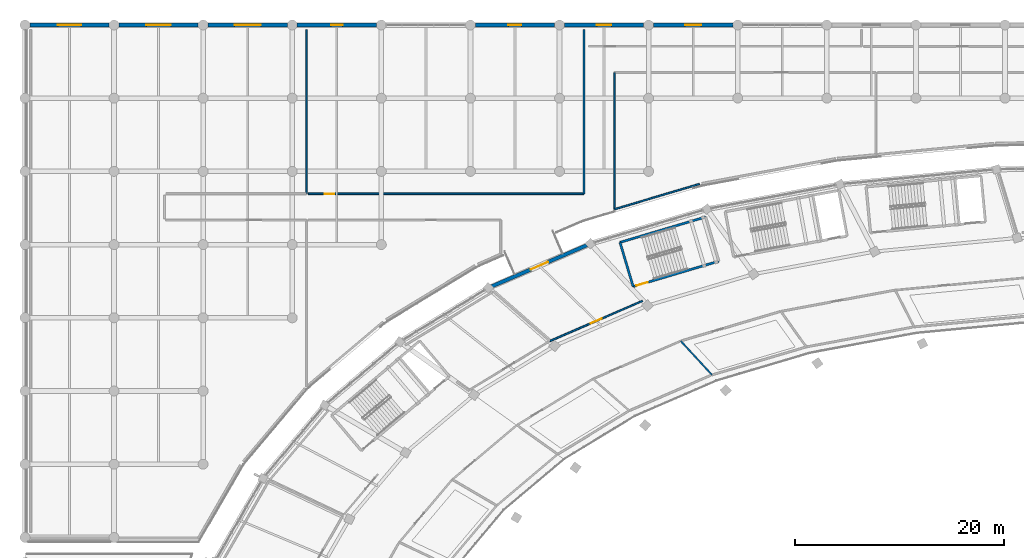
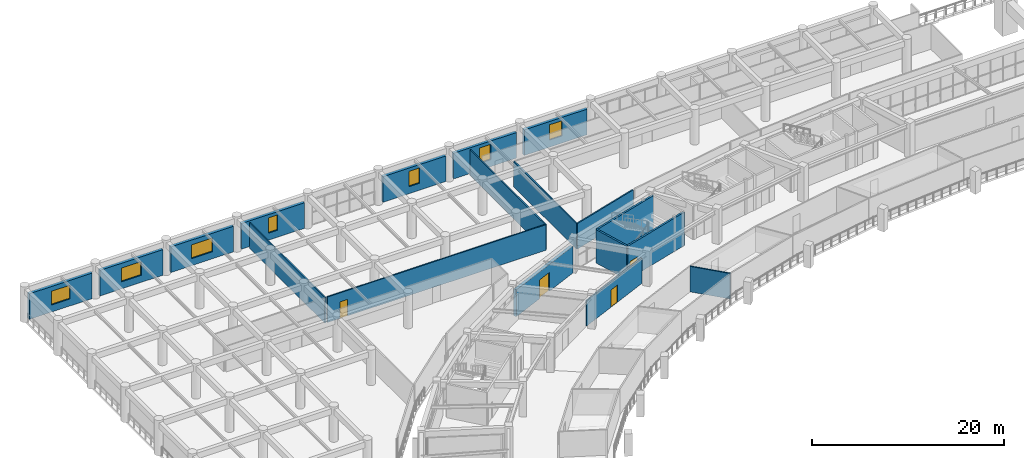
# One storey, part 104 of 141: 18 walls, 7 windows, 4 doors, 11 openings.
"""IFC4 building model written with IfcOpenShell, lengths in metres."""

from ifc_helpers import new_model, si_unit, direction, frame, frame_2d, origin, place, context, subcontext, project, spatial, rectangle, extrude, material, layer, layer_set, type_object, element, fill, save


model = new_model("IFC4")

# Units and contexts
model_context = context("Model", 3, precision=1e-05, world=origin(), true_north=direction((0.0, 1.0)))
body_context = subcontext(model_context, "Body", "Model", "MODEL_VIEW")
ifc_project = project(units=[si_unit("LENGTHUNIT", "METRE"), si_unit("AREAUNIT", "SQUARE_METRE"), si_unit("VOLUMEUNIT", "CUBIC_METRE"), si_unit("PLANEANGLEUNIT", "RADIAN"), si_unit("MASSUNIT", "GRAM", prefix="KILO")], contexts=[model_context])

# Site, building, storey
site_placement = place(None, origin())
site = spatial("IfcSite", under=ifc_project, at=site_placement, CompositionType="ELEMENT")
building_placement = place(site_placement, origin())
building = spatial("IfcBuilding", under=site, at=building_placement, Name="Mphavela Belvedere Stadium", CompositionType="ELEMENT")
storey_placement = place(building_placement, frame((0.0, 0.0, 14.699951171875)))
storey = spatial("IfcBuildingStorey", under=building, at=storey_placement, Name="L03", CompositionType="ELEMENT", Elevation=14.699951171875)

# Walls
ifc_material_1 = material(Name="Concrete C40/50", Category="concrete")
ifc_layer_1 = layer(ifc_material_1, 0.219970703125)
ifc_layer_set_1 = layer_set([ifc_layer_1], Name="Concrete C40/50")
wall_type_1 = type_object("IfcWallType", Name="WAL-CORE-SHEAR-220", PredefinedType="SHEAR", material=ifc_layer_set_1)
wall_1_placement = place(storey_placement, frame((56.89501953125, 153.214111328125, 0.0), z_axis=(0.0, 0.0, 1.0), x_axis=(0.958675743706, 0.284500998997, 0.0)))
element("IfcWall", 1, at=wall_1_placement, inside=storey, type_object=wall_type_1, Name="Core P03 shear wall L03 rear", PredefinedType="SHEAR", context=body_context, shape_type="SweptSolid", body=[
    extrude(rectangle(XDim=8.540283203125, YDim=0.219970703125, at=frame_2d((4.27001953125, 0.0))), origin(), (0.0, 0.0, 1.0), 4.25),
])
wall_2_placement = place(storey_placement, frame((58.14990234375, 148.986083984375, 0.0), z_axis=(0.0, 0.0, 1.0), x_axis=(-0.284533106789, 0.958666214665, 0.0)))
element("IfcWall", 2, at=wall_2_placement, inside=storey, type_object=wall_type_1, Name="Core P03 shear wall L03 left", PredefinedType="SHEAR", context=body_context, shape_type="SweptSolid", body=[
    extrude(rectangle(XDim=4.410400390625, YDim=0.219970703125, at=frame_2d((2.205078125, 0.0))), origin(), (0.0, 0.0, 1.0), 4.25),
])

# Wall, opening, door
wall_3_placement = place(storey_placement, frame((58.14990234375, 148.986083984375, 0.0), z_axis=(0.0, 0.0, 1.0), x_axis=(0.958665631999, 0.284535069937, 0.0)))
wall_3 = element("IfcWall", 3, at=wall_3_placement, inside=storey, type_object=wall_type_1, Name="Core P03 shear wall L03 front", PredefinedType="SHEAR", context=body_context, shape_type="SweptSolid", body=[
    extrude(rectangle(XDim=8.5400390625, YDim=0.219970703125, at=frame_2d((4.27001953125, 0.0))), origin(), (0.0, 0.0, 1.0), 4.25),
])
opening_1_placement = place(wall_3_placement, frame((0.300048828125, 0.0, 0.0)))
opening_1 = element("IfcOpeningElement", 4, at=opening_1_placement, cuts=wall_3, Name="Opening SD-080", PredefinedType="OPENING", context=body_context, shape_type="SweptSolid", body=[
    extrude(rectangle(XDim=1.14990234375, YDim=2.14990234375, at=frame_2d((0.574951171875, 1.074951171875))), frame((0.0, 0.1201171875, 0.0), z_axis=(0.0, -1.0, 0.0), x_axis=(1.0, 0.0, 0.0)), (0.0, 0.0, 1.0), 0.239990234375),
])
ifc_material_2 = material(Name="Steel acoustic fire-resisting stair doorset", Category="steel")
door_type_1 = type_object("IfcDoorType", Name="DR-STAIR-FIRE-1150", OperationType="NOTDEFINED", PredefinedType="DOOR", material=ifc_material_2)
door_1_placement = place(opening_1_placement, origin())
door_1 = element("IfcDoor", 5, at=door_1_placement, inside=storey, type_object=door_type_1, Name="Escape stair fire door P03 L03", OperationType="SINGLE_SWING_RIGHT", OverallHeight=2.14990234375, OverallWidth=1.14990234375, PredefinedType="DOOR", context=body_context, shape_type="SweptSolid", body=[
    extrude(rectangle(XDim=1.14990234375, YDim=2.14990234375, at=frame_2d((0.574951171875, 1.074951171875))), frame((0.0, 0.02490234375, 0.0), z_axis=(0.0, -1.0, 0.0), x_axis=(1.0, 0.0, 0.0)), (0.0, 0.0, 1.0), 0.050048828125),
])
fill(opening_1, door_1)

ifc_material_3 = material(Name="Honed ashlar limestone masonry", Category="masonry")
ifc_layer_2 = layer(ifc_material_3, 0.35009765625)
ifc_layer_set_2 = layer_set([ifc_layer_2], Name="Honed ashlar limestone masonry")
wall_type_2 = type_object("IfcWallType", Name="WAL-EXT-ASHLAR-350", PredefinedType="STANDARD", material=ifc_layer_set_2)
wall_4_placement = place(storey_placement, frame((44.64599609375, 149.00927734375, 0.0), z_axis=(0.0, 0.0, 1.0), x_axis=(0.917502782842, 0.397729359587, 0.0)))
wall_4 = element("IfcWall", 6, at=wall_4_placement, inside=storey, type_object=wall_type_2, Name="Classical link portal wall L03-17", PredefinedType="STANDARD", context=body_context, shape_type="SweptSolid", body=[
    extrude(rectangle(XDim=9.89013671875, YDim=0.35009765625, at=frame_2d((4.945068359375, 0.0))), origin(), (0.0, 0.0, 1.0), 3.420166015625),
])
opening_2_placement = place(wall_4_placement, frame((4.045166015625, 0.0, 0.0)))
opening_2 = element("IfcOpeningElement", 7, at=opening_2_placement, cuts=wall_4, Name="Opening ID-9316", PredefinedType="OPENING", context=body_context, shape_type="SweptSolid", body=[
    extrude(rectangle(XDim=1.800048828125, YDim=2.39990234375, at=frame_2d((0.89990234375, 1.199951171875))), frame((0.0, 0.18505859375, 0.0), z_axis=(0.0, -1.0, 0.0), x_axis=(1.0, 0.0, 0.0)), (0.0, 0.0, 1.0), 0.3701171875),
])
ifc_material_4 = material(Name="Glazed bronze-anodised steel exit doorset", Category="steel")
door_type_2 = type_object("IfcDoorType", Name="DR-EXT-01", OperationType="NOTDEFINED", PredefinedType="DOOR", material=ifc_material_4)
door_2_placement = place(opening_2_placement, origin())
door_2 = element("IfcDoor", 8, at=door_2_placement, inside=storey, type_object=door_type_2, Name="Wing promenade link doorset L03-17", OperationType="DOUBLE_DOOR_SINGLE_SWING", OverallHeight=2.39990234375, OverallWidth=1.800048828125, PredefinedType="DOOR", context=body_context, shape_type="SweptSolid", body=[
    extrude(rectangle(XDim=1.800048828125, YDim=2.39990234375, at=frame_2d((0.89990234375, 1.199951171875))), frame((0.0, 0.02490234375, 0.0), z_axis=(0.0, -1.0, 0.0), x_axis=(1.0, 0.0, 0.0)), (0.0, 0.0, 1.0), 0.050048828125),
])
fill(opening_2, door_2)

# Wall, opening, window
wall_5_placement = place(storey_placement, frame((0.472900390625, 174.0, 0.0), z_axis=(0.0, 0.0, 1.0), x_axis=(1.0, 0.0, 0.0)))
wall_5 = element("IfcWall", 9, at=wall_5_placement, inside=storey, type_object=wall_type_2, Name="North Mast and Ceremonial End Forecourt outer facade bay L03-01", PredefinedType="STANDARD", context=body_context, shape_type="SweptSolid", body=[
    extrude(rectangle(XDim=7.572998046875, YDim=0.35009765625, at=frame_2d((3.78662109375, 0.0))), origin(), (0.0, 0.0, 1.0), 3.260009765625),
])
opening_3_placement = place(wall_5_placement, frame((2.676513671875, 0.0, 0.89990234375)))
opening_3 = element("IfcOpeningElement", 10, at=opening_3_placement, cuts=wall_5, Name="Opening W-196", PredefinedType="OPENING", context=body_context, shape_type="SweptSolid", body=[
    extrude(rectangle(XDim=2.219970703125, YDim=1.75, at=frame_2d((1.10986328125, 0.875))), frame((0.0, 0.18505859375, 0.0), z_axis=(0.0, -1.0, 0.0), x_axis=(1.0, 0.0, 0.0)), (0.0, 0.0, 1.0), 0.3701171875),
])
ifc_material_5 = material(Name="Bronze-anodised thermally broken aluminium window", Category="aluminium")
window_type_1 = type_object("IfcWindowType", Name="WIN-EXT-20", PartitioningType="SINGLE_PANEL", PredefinedType="WINDOW", material=ifc_material_5)
window_1_placement = place(opening_3_placement, origin())
window_1 = element("IfcWindow", 11, at=window_1_placement, inside=storey, type_object=window_type_1, Name="North Mast and Ceremonial End Forecourt classical window W-196", OverallHeight=1.75, OverallWidth=2.219970703125, PartitioningType="SINGLE_PANEL", PredefinedType="WINDOW", context=body_context, shape_type="SweptSolid", body=[
    extrude(rectangle(XDim=2.219970703125, YDim=1.75, at=frame_2d((1.10986328125, 0.875))), frame((0.0, 0.030029296875, 0.0), z_axis=(0.0, -1.0, 0.0), x_axis=(1.0, 0.0, 0.0)), (0.0, 0.0, 1.0), 0.06005859375),
])
fill(opening_3, window_1)

wall_6_placement = place(storey_placement, frame((8.991943359375, 174.0, 0.0), z_axis=(0.0, 0.0, 1.0), x_axis=(1.0, 0.0, 0.0)))
wall_6 = element("IfcWall", 12, at=wall_6_placement, inside=storey, type_object=wall_type_2, Name="North Mast and Ceremonial End Forecourt outer facade bay L03-02", PredefinedType="STANDARD", context=body_context, shape_type="SweptSolid", body=[
    extrude(rectangle(XDim=7.572021484375, YDim=0.35009765625, at=frame_2d((3.7861328125, 0.0))), origin(), (0.0, 0.0, 1.0), 3.260009765625),
])
opening_4_placement = place(wall_6_placement, frame((2.60595703125, 0.0, 0.89990234375)))
opening_4 = element("IfcOpeningElement", 13, at=opening_4_placement, cuts=wall_6, Name="Opening W-197", PredefinedType="OPENING", context=body_context, shape_type="SweptSolid", body=[
    extrude(rectangle(XDim=2.360107421875, YDim=1.75, at=frame_2d((1.18017578125, 0.875))), frame((0.0, 0.18505859375, 0.0), z_axis=(0.0, -1.0, 0.0), x_axis=(1.0, 0.0, 0.0)), (0.0, 0.0, 1.0), 0.3701171875),
])
ifc_material_6 = material(Name="Bronze-anodised thermally broken aluminium window", Category="aluminium")
window_type_2 = type_object("IfcWindowType", Name="WIN-EXT-21", PartitioningType="SINGLE_PANEL", PredefinedType="WINDOW", material=ifc_material_6)
window_2_placement = place(opening_4_placement, origin())
window_2 = element("IfcWindow", 14, at=window_2_placement, inside=storey, type_object=window_type_2, Name="North Mast and Ceremonial End Forecourt classical window W-197", OverallHeight=1.75, OverallWidth=2.360107421875, PartitioningType="SINGLE_PANEL", PredefinedType="WINDOW", context=body_context, shape_type="SweptSolid", body=[
    extrude(rectangle(XDim=2.360107421875, YDim=1.75, at=frame_2d((1.18017578125, 0.875))), frame((0.0, 0.030029296875, 0.0), z_axis=(0.0, -1.0, 0.0), x_axis=(1.0, 0.0, 0.0)), (0.0, 0.0, 1.0), 0.06005859375),
])
fill(opening_4, window_2)

wall_7_placement = place(storey_placement, frame((17.510009765625, 174.0, 0.0), z_axis=(0.0, 0.0, 1.0), x_axis=(1.0, 0.0, 0.0)))
wall_7 = element("IfcWall", 15, at=wall_7_placement, inside=storey, type_object=wall_type_2, Name="North Mast and Ceremonial End Forecourt outer facade bay L03-03", PredefinedType="STANDARD", context=body_context, shape_type="SweptSolid", body=[
    extrude(rectangle(XDim=7.572998046875, YDim=0.35009765625, at=frame_2d((3.78662109375, 0.0))), origin(), (0.0, 0.0, 1.0), 3.260009765625),
])
opening_5_placement = place(wall_7_placement, frame((2.526611328125, 0.0, 0.89990234375)))
opening_5 = element("IfcOpeningElement", 16, at=opening_5_placement, cuts=wall_7, Name="Opening W-198", PredefinedType="OPENING", context=body_context, shape_type="SweptSolid", body=[
    extrude(rectangle(XDim=2.52001953125, YDim=1.75, at=frame_2d((1.260009765625, 0.875))), frame((0.0, 0.18505859375, 0.0), z_axis=(0.0, -1.0, 0.0), x_axis=(1.0, 0.0, 0.0)), (0.0, 0.0, 1.0), 0.3701171875),
])
ifc_material_7 = material(Name="Bronze-anodised thermally broken aluminium window", Category="aluminium")
window_type_3 = type_object("IfcWindowType", Name="WIN-EXT-22", PartitioningType="SINGLE_PANEL", PredefinedType="WINDOW", material=ifc_material_7)
window_3_placement = place(opening_5_placement, origin())
window_3 = element("IfcWindow", 17, at=window_3_placement, inside=storey, type_object=window_type_3, Name="North Mast and Ceremonial End Forecourt classical window W-198", OverallHeight=1.75, OverallWidth=2.52001953125, PartitioningType="SINGLE_PANEL", PredefinedType="WINDOW", context=body_context, shape_type="SweptSolid", body=[
    extrude(rectangle(XDim=2.52001953125, YDim=1.75, at=frame_2d((1.260009765625, 0.875))), frame((0.0, 0.030029296875, 0.0), z_axis=(0.0, -1.0, 0.0), x_axis=(1.0, 0.0, 0.0)), (0.0, 0.0, 1.0), 0.06005859375),
])
fill(opening_5, window_3)

wall_8_placement = place(storey_placement, frame((26.029052734375, 174.0, 0.0), z_axis=(0.0, 0.0, 1.0), x_axis=(1.0, 0.0, 0.0)))
wall_8 = element("IfcWall", 18, at=wall_8_placement, inside=storey, type_object=wall_type_2, Name="North Mast and Ceremonial End Forecourt outer facade bay L03-04", PredefinedType="STANDARD", context=body_context, shape_type="SweptSolid", body=[
    extrude(rectangle(XDim=7.572021484375, YDim=0.35009765625, at=frame_2d((3.7861328125, 0.0))), origin(), (0.0, 0.0, 1.0), 3.260009765625),
])
opening_6_placement = place(wall_8_placement, frame((3.236083984375, 0.0, 0.89990234375)))
opening_6 = element("IfcOpeningElement", 19, at=opening_6_placement, cuts=wall_8, Name="Opening W-199", PredefinedType="OPENING", context=body_context, shape_type="SweptSolid", body=[
    extrude(rectangle(XDim=1.10009765625, YDim=1.949951171875, at=frame_2d((0.550048828125, 0.97509765625))), frame((0.0, 0.18505859375, 0.0), z_axis=(0.0, -1.0, 0.0), x_axis=(1.0, 0.0, 0.0)), (0.0, 0.0, 1.0), 0.3701171875),
])
ifc_material_8 = material(Name="Bronze-anodised thermally broken aluminium window", Category="aluminium")
window_type_4 = type_object("IfcWindowType", Name="WIN-EXT-23", PartitioningType="SINGLE_PANEL", PredefinedType="WINDOW", material=ifc_material_8)
window_4_placement = place(opening_6_placement, origin())
window_4 = element("IfcWindow", 20, at=window_4_placement, inside=storey, type_object=window_type_4, Name="North Mast and Ceremonial End Forecourt classical window W-199", OverallHeight=1.949951171875, OverallWidth=1.10009765625, PartitioningType="SINGLE_PANEL", PredefinedType="WINDOW", context=body_context, shape_type="SweptSolid", body=[
    extrude(rectangle(XDim=1.10009765625, YDim=1.949951171875, at=frame_2d((0.550048828125, 0.97509765625))), frame((0.0, 0.030029296875, 0.0), z_axis=(0.0, -1.0, 0.0), x_axis=(1.0, 0.0, 0.0)), (0.0, 0.0, 1.0), 0.06005859375),
])
fill(opening_6, window_4)

wall_9_placement = place(storey_placement, frame((43.06591796875, 174.0, 0.0), z_axis=(0.0, 0.0, 1.0), x_axis=(1.0, 0.0, 0.0)))
wall_9 = element("IfcWall", 21, at=wall_9_placement, inside=storey, type_object=wall_type_2, Name="North Mast and Ceremonial End Forecourt outer facade bay L03-06", PredefinedType="STANDARD", context=body_context, shape_type="SweptSolid", body=[
    extrude(rectangle(XDim=7.572021484375, YDim=0.35009765625, at=frame_2d((3.7861328125, 0.0))), origin(), (0.0, 0.0, 1.0), 3.260009765625),
])
opening_7_placement = place(wall_9_placement, frame((3.166015625, 0.0, 0.89990234375)))
opening_7 = element("IfcOpeningElement", 22, at=opening_7_placement, cuts=wall_9, Name="Opening W-200", PredefinedType="OPENING", context=body_context, shape_type="SweptSolid", body=[
    extrude(rectangle(XDim=1.239990234375, YDim=1.949951171875, at=frame_2d((0.6201171875, 0.97509765625))), frame((0.0, 0.18505859375, 0.0), z_axis=(0.0, -1.0, 0.0), x_axis=(1.0, 0.0, 0.0)), (0.0, 0.0, 1.0), 0.3701171875),
])
ifc_material_9 = material(Name="Bronze-anodised thermally broken aluminium window", Category="aluminium")
window_type_5 = type_object("IfcWindowType", Name="WIN-EXT-24", PartitioningType="SINGLE_PANEL", PredefinedType="WINDOW", material=ifc_material_9)
window_5_placement = place(opening_7_placement, origin())
window_5 = element("IfcWindow", 23, at=window_5_placement, inside=storey, type_object=window_type_5, Name="North Mast and Ceremonial End Forecourt classical window W-200", OverallHeight=1.949951171875, OverallWidth=1.239990234375, PartitioningType="SINGLE_PANEL", PredefinedType="WINDOW", context=body_context, shape_type="SweptSolid", body=[
    extrude(rectangle(XDim=1.239990234375, YDim=1.949951171875, at=frame_2d((0.6201171875, 0.97509765625))), frame((0.0, 0.030029296875, 0.0), z_axis=(0.0, -1.0, 0.0), x_axis=(1.0, 0.0, 0.0)), (0.0, 0.0, 1.0), 0.06005859375),
])
fill(opening_7, window_5)

wall_10_placement = place(storey_placement, frame((51.583984375, 174.0, 0.0), z_axis=(0.0, 0.0, 1.0), x_axis=(1.0, 0.0, 0.0)))
wall_10 = element("IfcWall", 24, at=wall_10_placement, inside=storey, type_object=wall_type_2, Name="North Mast and Ceremonial End Forecourt outer facade bay L03-07", PredefinedType="STANDARD", context=body_context, shape_type="SweptSolid", body=[
    extrude(rectangle(XDim=7.572998046875, YDim=0.35009765625, at=frame_2d((3.78662109375, 0.0))), origin(), (0.0, 0.0, 1.0), 3.260009765625),
])
opening_8_placement = place(wall_10_placement, frame((3.096435546875, 0.0, 0.89990234375)))
opening_8 = element("IfcOpeningElement", 25, at=opening_8_placement, cuts=wall_10, Name="Opening W-201", PredefinedType="OPENING", context=body_context, shape_type="SweptSolid", body=[
    extrude(rectangle(XDim=1.3798828125, YDim=1.949951171875, at=frame_2d((0.68994140625, 0.97509765625))), frame((0.0, 0.18505859375, 0.0), z_axis=(0.0, -1.0, 0.0), x_axis=(1.0, 0.0, 0.0)), (0.0, 0.0, 1.0), 0.3701171875),
])
ifc_material_10 = material(Name="Bronze-anodised thermally broken aluminium window", Category="aluminium")
window_type_6 = type_object("IfcWindowType", Name="WIN-EXT-25", PartitioningType="SINGLE_PANEL", PredefinedType="WINDOW", material=ifc_material_10)
window_6_placement = place(opening_8_placement, origin())
window_6 = element("IfcWindow", 26, at=window_6_placement, inside=storey, type_object=window_type_6, Name="North Mast and Ceremonial End Forecourt classical window W-201", OverallHeight=1.949951171875, OverallWidth=1.3798828125, PartitioningType="SINGLE_PANEL", PredefinedType="WINDOW", context=body_context, shape_type="SweptSolid", body=[
    extrude(rectangle(XDim=1.3798828125, YDim=1.949951171875, at=frame_2d((0.68994140625, 0.97509765625))), frame((0.0, 0.030029296875, 0.0), z_axis=(0.0, -1.0, 0.0), x_axis=(1.0, 0.0, 0.0)), (0.0, 0.0, 1.0), 0.06005859375),
])
fill(opening_8, window_6)

wall_11_placement = place(storey_placement, frame((60.10302734375, 174.0, 0.0), z_axis=(0.0, 0.0, 1.0), x_axis=(1.0, 0.0, 0.0)))
wall_11 = element("IfcWall", 27, at=wall_11_placement, inside=storey, type_object=wall_type_2, Name="North Mast and Ceremonial End Forecourt outer facade bay L03-08", PredefinedType="STANDARD", context=body_context, shape_type="SweptSolid", body=[
    extrude(rectangle(XDim=7.572021484375, YDim=0.35009765625, at=frame_2d((3.7861328125, 0.0))), origin(), (0.0, 0.0, 1.0), 3.260009765625),
])
opening_9_placement = place(wall_11_placement, frame((3.02587890625, 0.0, 0.89990234375)))
opening_9 = element("IfcOpeningElement", 28, at=opening_9_placement, cuts=wall_11, Name="Opening W-202", PredefinedType="OPENING", context=body_context, shape_type="SweptSolid", body=[
    extrude(rectangle(XDim=1.52001953125, YDim=1.949951171875, at=frame_2d((0.760009765625, 0.97509765625))), frame((0.0, 0.18505859375, 0.0), z_axis=(0.0, -1.0, 0.0), x_axis=(1.0, 0.0, 0.0)), (0.0, 0.0, 1.0), 0.3701171875),
])
ifc_material_11 = material(Name="Bronze-anodised thermally broken aluminium window", Category="aluminium")
window_type_7 = type_object("IfcWindowType", Name="WIN-EXT-26", PartitioningType="SINGLE_PANEL", PredefinedType="WINDOW", material=ifc_material_11)
window_7_placement = place(opening_9_placement, origin())
window_7 = element("IfcWindow", 29, at=window_7_placement, inside=storey, type_object=window_type_7, Name="North Mast and Ceremonial End Forecourt classical window W-202", OverallHeight=1.949951171875, OverallWidth=1.52001953125, PartitioningType="SINGLE_PANEL", PredefinedType="WINDOW", context=body_context, shape_type="SweptSolid", body=[
    extrude(rectangle(XDim=1.52001953125, YDim=1.949951171875, at=frame_2d((0.760009765625, 0.97509765625))), frame((0.0, 0.030029296875, 0.0), z_axis=(0.0, -1.0, 0.0), x_axis=(1.0, 0.0, 0.0)), (0.0, 0.0, 1.0), 0.06005859375),
])
fill(opening_9, window_7)

# Wall, opening, door
ifc_material_12 = material(Name="Acoustic gypsum stud partition assembly")
ifc_layer_3 = layer(ifc_material_12, 0.14990234375)
ifc_layer_set_3 = layer_set([ifc_layer_3], Name="Acoustic gypsum stud partition assembly")
wall_type_3 = type_object("IfcWallType", Name="WAL-PART-150", PredefinedType="PARTITIONING", material=ifc_layer_set_3)
wall_12_placement = place(storey_placement, frame((59.0537109375, 147.61865234375, 0.0), z_axis=(0.0, 0.0, 1.0), x_axis=(-0.917508957037, -0.39771511633, 0.0)))
wall_12 = element("IfcWall", 30, at=wall_12_placement, inside=storey, type_object=wall_type_3, Name="Room L03-78 corridor partition", PredefinedType="PARTITIONING", context=body_context, shape_type="SweptSolid", body=[
    extrude(rectangle(XDim=9.67138671875, YDim=0.14990234375, at=frame_2d((4.835693359375, 0.0))), origin(), (0.0, 0.0, 1.0), 3.25),
])
opening_10_placement = place(wall_12_placement, frame((4.265625, 0.0, 0.0)))
opening_10 = element("IfcOpeningElement", 31, at=opening_10_placement, cuts=wall_12, Name="Opening ID-271", PredefinedType="OPENING", context=body_context, shape_type="SweptSolid", body=[
    extrude(rectangle(XDim=1.139892578125, YDim=2.199951171875, at=frame_2d((0.56982421875, 1.10009765625))), frame((0.0, 0.0849609375, 0.0), z_axis=(0.0, -1.0, 0.0), x_axis=(1.0, 0.0, 0.0)), (0.0, 0.0, 1.0), 0.169921875),
])
ifc_material_13 = material(Name="Hardwood acoustic timber doorset", Category="wood")
door_type_3 = type_object("IfcDoorType", Name="DR-INT-19", OperationType="NOTDEFINED", PredefinedType="DOOR", material=ifc_material_13)
door_3_placement = place(opening_10_placement, origin())
door_3 = element("IfcDoor", 32, at=door_3_placement, inside=storey, type_object=door_type_3, Name="Room L03-78 entrance door ID-271", OperationType="SINGLE_SWING_LEFT", OverallHeight=2.199951171875, OverallWidth=1.139892578125, PredefinedType="DOOR", context=body_context, shape_type="SweptSolid", body=[
    extrude(rectangle(XDim=1.139892578125, YDim=2.199951171875, at=frame_2d((0.56982421875, 1.10009765625))), frame((0.0, 0.02490234375, 0.0), z_axis=(0.0, -1.0, 0.0), x_axis=(1.0, 0.0, 0.0)), (0.0, 0.0, 1.0), 0.050048828125),
])
fill(opening_10, door_3)

wall_13_placement = place(storey_placement, frame((53.449951171875, 157.860107421875, 0.0), z_axis=(0.0, 0.0, 1.0), x_axis=(-1.0, 0.0, 0.0)))
wall_13 = element("IfcWall", 33, at=wall_13_placement, inside=storey, type_object=wall_type_3, Name="Room L03-178 corridor partition", PredefinedType="PARTITIONING", context=body_context, shape_type="SweptSolid", body=[
    extrude(rectangle(XDim=26.349853515625, YDim=0.14990234375, at=frame_2d((13.1748046875, 0.0))), origin(), (0.0, 0.0, 1.0), 3.25),
])
opening_11_placement = place(wall_13_placement, frame((23.889404296875, 0.0, 0.0)))
opening_11 = element("IfcOpeningElement", 34, at=opening_11_placement, cuts=wall_13, Name="Opening ID-469", PredefinedType="OPENING", context=body_context, shape_type="SweptSolid", body=[
    extrude(rectangle(XDim=0.89990234375, YDim=2.10009765625, at=frame_2d((0.449951171875, 1.050048828125))), frame((0.0, 0.0849609375, 0.0), z_axis=(0.0, -1.0, 0.0), x_axis=(1.0, 0.0, 0.0)), (0.0, 0.0, 1.0), 0.169921875),
])
ifc_material_14 = material(Name="Hardwood acoustic timber doorset", Category="wood")
door_type_4 = type_object("IfcDoorType", Name="DR-INT-01", OperationType="NOTDEFINED", PredefinedType="DOOR", material=ifc_material_14)
door_4_placement = place(opening_11_placement, origin())
door_4 = element("IfcDoor", 35, at=door_4_placement, inside=storey, type_object=door_type_4, Name="Room L03-178 entrance door ID-469", OperationType="SINGLE_SWING_LEFT", OverallHeight=2.10009765625, OverallWidth=0.89990234375, PredefinedType="DOOR", context=body_context, shape_type="SweptSolid", body=[
    extrude(rectangle(XDim=0.89990234375, YDim=2.10009765625, at=frame_2d((0.449951171875, 1.050048828125))), frame((0.0, 0.02490234375, 0.0), z_axis=(0.0, -1.0, 0.0), x_axis=(1.0, 0.0, 0.0)), (0.0, 0.0, 1.0), 0.050048828125),
])
fill(opening_11, door_4)

# Walls
wall_14_placement = place(storey_placement, frame((65.6875, 140.5419921875, 0.0), z_axis=(0.0, 0.0, 1.0), x_axis=(-0.677847280791, 0.735202736614, 0.0)))
element("IfcWall", 36, at=wall_14_placement, inside=storey, type_object=wall_type_3, Name="Room divider partition L03-0485", PredefinedType="PARTITIONING", context=body_context, shape_type="SweptSolid", body=[
    extrude(rectangle(XDim=4.405517578125, YDim=0.14990234375, at=frame_2d((2.20263671875, 0.0))), origin(), (0.0, 0.0, 1.0), 3.25),
])
for number, where, z_axis, x_axis, name in (
    (37, (26.89990234375, 173.550048828125, 0.0), (0.0, 0.0, 1.0), (0.0, -1.0, 0.0), "Room divider partition L03-1044"),
    (38, (53.449951171875, 173.550048828125, 0.0), (0.0, 0.0, 1.0), (0.0, -1.0, 0.0), "Room divider partition L03-1046"),
):
    element("IfcWall", number, at=place(storey_placement, frame(where, z_axis=z_axis, x_axis=x_axis)), inside=storey, type_object=wall_type_3, Name=name, PredefinedType="PARTITIONING", context=body_context, shape_type="SweptSolid", body=[
        extrude(rectangle(XDim=15.68994140625, YDim=0.14990234375, at=frame_2d((7.844970703125, 0.0))), origin(), (0.0, 0.0, 1.0), 3.25),
    ])
wall_15_placement = place(storey_placement, frame((64.4873046875, 158.79345703125, 0.0), z_axis=(0.0, 0.0, 1.0), x_axis=(-0.95866000112, -0.284554041006, 0.0)))
element("IfcWall", 39, at=wall_15_placement, inside=storey, type_object=wall_type_3, Name="Room divider partition L03-1069", PredefinedType="PARTITIONING", context=body_context, shape_type="SweptSolid", body=[
    extrude(rectangle(XDim=8.477783203125, YDim=0.14990234375, at=frame_2d((4.23876953125, 0.0))), origin(), (0.0, 0.0, 1.0), 3.25),
])
wall_16_placement = place(storey_placement, frame((56.360107421875, 156.381103515625, 0.0), z_axis=(0.0, 0.0, 1.0), x_axis=(0.0, 1.0, 0.0)))
element("IfcWall", 40, at=wall_16_placement, inside=storey, type_object=wall_type_3, Name="Room divider partition L03-1070", PredefinedType="PARTITIONING", context=body_context, shape_type="SweptSolid", body=[
    extrude(rectangle(XDim=13.058837890625, YDim=0.14990234375, at=frame_2d((6.529296875, 0.0))), origin(), (0.0, 0.0, 1.0), 3.25),
])

save(model, "model.ifc")
